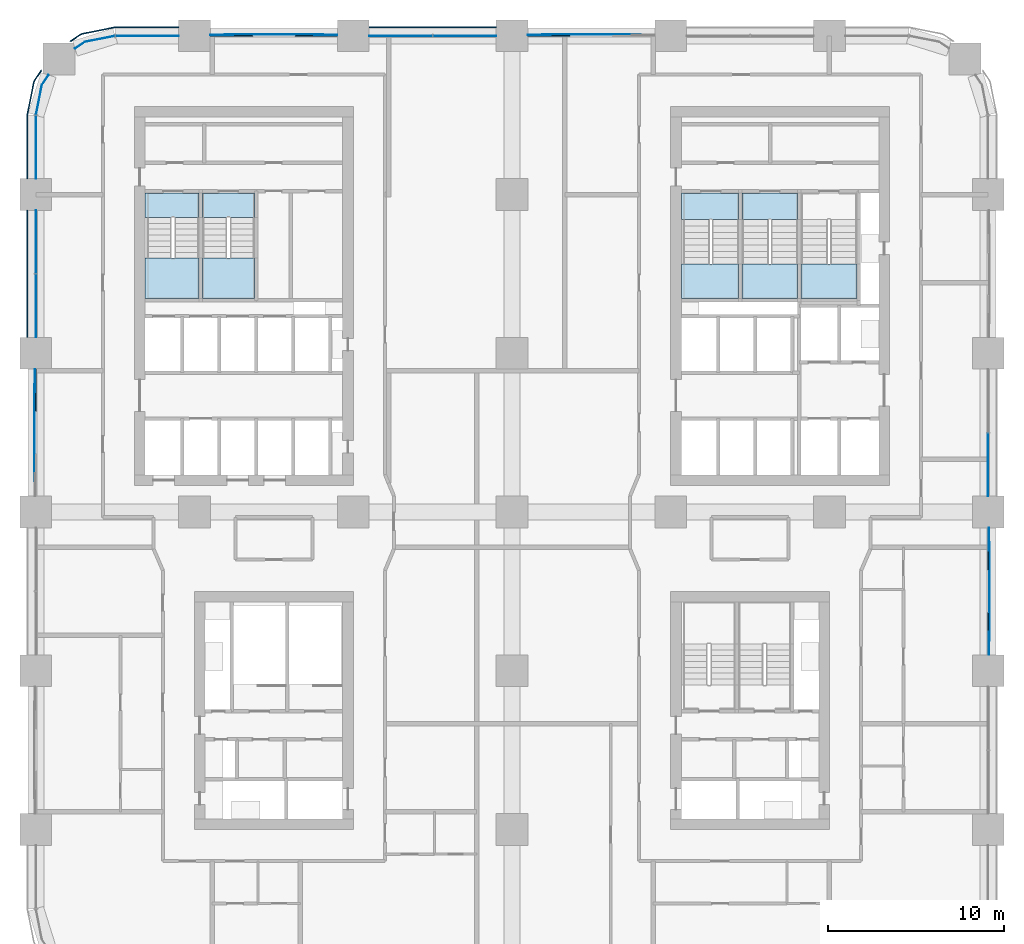
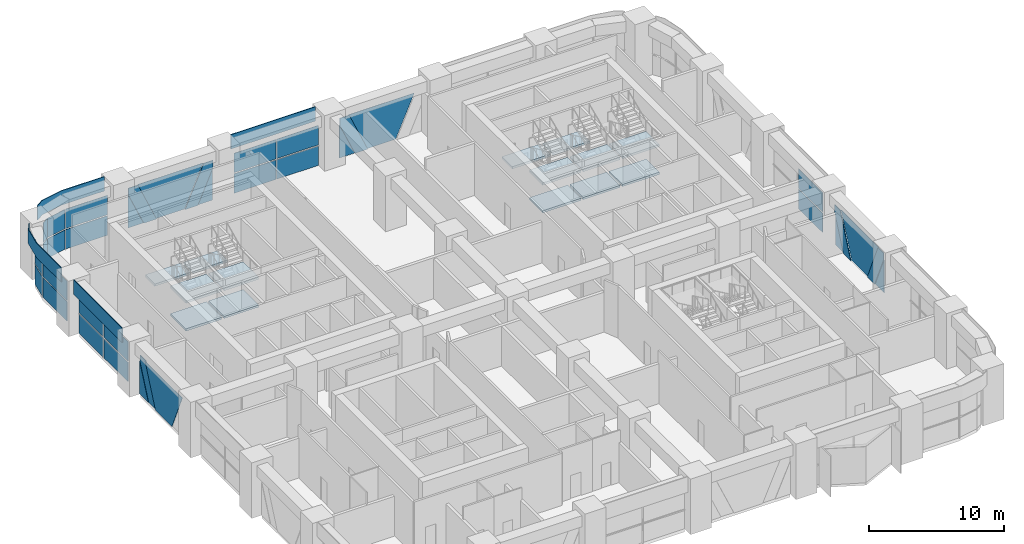
# One storey, part 13 of 26: 38 plates, 14 slabs, 14 elements without a shape of their own.
"""IFC4 building model written with IfcOpenShell, lengths in metres."""

from ifc_helpers import new_model, si_unit, direction, frame, origin, origin_2d, place, context, subcontext, project, spatial, polyline, rectangle, outline, extrude, material, layer, layer_set, type_object, element, aggregate, save


model = new_model("IFC4")

# Units and contexts
model_context = context("Model", 3, precision=1e-05, world=origin(), true_north=direction((0.0, 1.0)))
body_context = subcontext(model_context, "Body", "Model", "MODEL_VIEW")
ifc_project = project(units=[si_unit("LENGTHUNIT", "METRE"), si_unit("AREAUNIT", "SQUARE_METRE"), si_unit("VOLUMEUNIT", "CUBIC_METRE"), si_unit("PLANEANGLEUNIT", "RADIAN"), si_unit("MASSUNIT", "GRAM", prefix="KILO")], contexts=[model_context])

# Site, building, storey
site_placement = place(None, origin())
site = spatial("IfcSite", under=ifc_project, at=site_placement, CompositionType="ELEMENT")
building_placement = place(site_placement, origin())
building = spatial("IfcBuilding", under=site, at=building_placement, Name="Tessera Arch", CompositionType="ELEMENT")
storey_placement = place(building_placement, frame((0.0, 0.0, 72.800048828125)))
storey = spatial("IfcBuildingStorey", under=building, at=storey_placement, Name="L16", CompositionType="ELEMENT", Elevation=72.800048828125)

# Curtain wall, plates
ifc_material_1 = material(Name="CW1 curtain wall")
curtain_wall_type_1 = type_object("IfcCurtainWallType", Name="CW1 curtain wall", PredefinedType="NOTDEFINED", material=ifc_material_1)
curtain_wall_1_placement = place(storey_placement, origin())
curtain_wall_1 = element("IfcCurtainWall", 1, at=curtain_wall_1_placement, inside=storey, type_object=curtain_wall_type_1, Name="CW1 curtain wall E54.0/3 L16", PredefinedType="NOTDEFINED")
ifc_material_2 = material(Name="Clear low-e glass", Category="glass")
ifc_material_3 = material(Name="Clear low-e glass", Category="glass")
ifc_layer_1 = layer(ifc_material_3, 0.028076171875)
ifc_layer_set_1 = layer_set([ifc_layer_1], Name="CW1 glass panel")
plate_type_1 = type_object("IfcPlateType", Name="CW1 glass panel", PredefinedType="CURTAIN_PANEL", material=ifc_layer_set_1)
plate_1_placement = place(storey_placement, frame((54.0, 29.68505859375, 0.0), z_axis=(0.0, 0.0, 1.0), x_axis=(0.0, 1.0, 0.0)))
plate_1 = element("IfcPlate", 2, at=plate_1_placement, type_object=plate_type_1, material=ifc_material_2, Name="CW1 glass panel E54.0/3 1.1.1", PredefinedType="CURTAIN_PANEL", context=body_context, shape_type="SweptSolid", body=[
    extrude(rectangle(XDim=3.570068359375, YDim=0.028076171875, at=origin_2d()), origin(), (0.0, 0.0, 1.0), 1.75),
])
plate_2_placement = place(storey_placement, frame((54.0, 29.68505859375, 1.849853515625), z_axis=(0.0, 0.0, 1.0), x_axis=(0.0, 1.0, 0.0)))
plate_2 = element("IfcPlate", 3, at=plate_2_placement, type_object=plate_type_1, material=ifc_material_2, Name="CW1 glass panel E54.0/3 1.1.2", PredefinedType="CURTAIN_PANEL", context=body_context, shape_type="SweptSolid", body=[
    extrude(rectangle(XDim=3.570068359375, YDim=0.028076171875, at=origin_2d()), origin(), (0.0, 0.0, 1.0), 1.75),
])
aggregate(curtain_wall_1, [plate_1, plate_2])

curtain_wall_2_placement = place(storey_placement, origin())
curtain_wall_2 = element("IfcCurtainWall", 4, at=curtain_wall_2_placement, inside=storey, type_object=curtain_wall_type_1, Name="CW1 curtain wall N54.0/3 L16", PredefinedType="NOTDEFINED")
plate_3_placement = place(storey_placement, frame((24.31494140625, 54.0, 0.0), z_axis=(0.0, 0.0, 1.0), x_axis=(-1.0, 0.0, 0.0)))
plate_3 = element("IfcPlate", 5, at=plate_3_placement, type_object=plate_type_1, material=ifc_material_2, Name="CW1 glass panel N54.0/3 1.1.1", PredefinedType="CURTAIN_PANEL", context=body_context, shape_type="SweptSolid", body=[
    extrude(rectangle(XDim=3.570068359375, YDim=0.028076171875, at=origin_2d()), origin(), (0.0, 0.0, 1.0), 1.75),
])
plate_4_placement = place(storey_placement, frame((24.31494140625, 54.0, 1.849853515625), z_axis=(0.0, 0.0, 1.0), x_axis=(-1.0, 0.0, 0.0)))
plate_4 = element("IfcPlate", 6, at=plate_4_placement, type_object=plate_type_1, material=ifc_material_2, Name="CW1 glass panel N54.0/3 1.1.2", PredefinedType="CURTAIN_PANEL", context=body_context, shape_type="SweptSolid", body=[
    extrude(rectangle(XDim=3.570068359375, YDim=0.028076171875, at=origin_2d()), origin(), (0.0, 0.0, 1.0), 1.75),
])
plate_5_placement = place(storey_placement, frame((20.68505859375, 54.0, 0.0), z_axis=(0.0, 0.0, 1.0), x_axis=(-1.0, 0.0, 0.0)))
plate_5 = element("IfcPlate", 7, at=plate_5_placement, type_object=plate_type_1, material=ifc_material_2, Name="CW1 glass panel N54.0/3 1.2.1", PredefinedType="CURTAIN_PANEL", context=body_context, shape_type="SweptSolid", body=[
    extrude(rectangle(XDim=3.570068359375, YDim=0.028076171875, at=origin_2d()), origin(), (0.0, 0.0, 1.0), 1.75),
])
plate_6_placement = place(storey_placement, frame((20.68505859375, 54.0, 1.849853515625), z_axis=(0.0, 0.0, 1.0), x_axis=(-1.0, 0.0, 0.0)))
plate_6 = element("IfcPlate", 8, at=plate_6_placement, type_object=plate_type_1, material=ifc_material_2, Name="CW1 glass panel N54.0/3 1.2.2", PredefinedType="CURTAIN_PANEL", context=body_context, shape_type="SweptSolid", body=[
    extrude(rectangle(XDim=3.570068359375, YDim=0.028076171875, at=origin_2d()), origin(), (0.0, 0.0, 1.0), 1.75),
])

curtain_wall_3_placement = place(storey_placement, origin())
curtain_wall_3 = element("IfcCurtainWall", 9, at=curtain_wall_3_placement, inside=storey, type_object=curtain_wall_type_1, Name="CW1 curtain wall W0.0/1 L16", PredefinedType="NOTDEFINED")
plate_7_placement = place(storey_placement, frame((0.0, 42.31494140625, 0.0), z_axis=(0.0, 0.0, 1.0), x_axis=(0.0, -1.0, 0.0)))
plate_7 = element("IfcPlate", 10, at=plate_7_placement, type_object=plate_type_1, material=ifc_material_2, Name="CW1 glass panel W0.0/1 1.1.1", PredefinedType="CURTAIN_PANEL", context=body_context, shape_type="SweptSolid", body=[
    extrude(rectangle(XDim=3.570068359375, YDim=0.028076171875, at=origin_2d()), origin(), (0.0, 0.0, 1.0), 1.75),
])
plate_8_placement = place(storey_placement, frame((0.0, 42.31494140625, 1.849853515625), z_axis=(0.0, 0.0, 1.0), x_axis=(0.0, -1.0, 0.0)))
plate_8 = element("IfcPlate", 11, at=plate_8_placement, type_object=plate_type_1, material=ifc_material_2, Name="CW1 glass panel W0.0/1 1.1.2", PredefinedType="CURTAIN_PANEL", context=body_context, shape_type="SweptSolid", body=[
    extrude(rectangle(XDim=3.570068359375, YDim=0.028076171875, at=origin_2d()), origin(), (0.0, 0.0, 1.0), 1.75),
])
plate_9_placement = place(storey_placement, frame((0.0, 38.68505859375, 0.0), z_axis=(0.0, 0.0, 1.0), x_axis=(0.0, -1.0, 0.0)))
plate_9 = element("IfcPlate", 12, at=plate_9_placement, type_object=plate_type_1, material=ifc_material_2, Name="CW1 glass panel W0.0/1 1.2.1", PredefinedType="CURTAIN_PANEL", context=body_context, shape_type="SweptSolid", body=[
    extrude(rectangle(XDim=3.570068359375, YDim=0.028076171875, at=origin_2d()), origin(), (0.0, 0.0, 1.0), 1.75),
])
plate_10_placement = place(storey_placement, frame((0.0, 38.68505859375, 1.849853515625), z_axis=(0.0, 0.0, 1.0), x_axis=(0.0, -1.0, 0.0)))
plate_10 = element("IfcPlate", 13, at=plate_10_placement, type_object=plate_type_1, material=ifc_material_2, Name="CW1 glass panel W0.0/1 1.2.2", PredefinedType="CURTAIN_PANEL", context=body_context, shape_type="SweptSolid", body=[
    extrude(rectangle(XDim=3.570068359375, YDim=0.028076171875, at=origin_2d()), origin(), (0.0, 0.0, 1.0), 1.75),
])

# Plate
ifc_material_4 = material(Name="Pale anodised aluminium panel", Category="aluminium")
ifc_layer_2 = layer(ifc_material_4, 0.06005859375)
ifc_layer_set_2 = layer_set([ifc_layer_2], Name="CW1 spandrel panel")
plate_type_2 = type_object("IfcPlateType", Name="CW1 spandrel panel", PredefinedType="CURTAIN_PANEL", material=ifc_layer_set_2)
plate_11_placement = place(storey_placement, frame((22.5, 54.47998046875, 3.69970703125), z_axis=(0.0, 0.0, 1.0), x_axis=(-1.0, 0.0, 0.0)))
plate_11 = element("IfcPlate", 14, at=plate_11_placement, type_object=plate_type_2, Name="CW1 spandrel panel N54.0/3", PredefinedType="CURTAIN_PANEL", context=body_context, shape_type="SweptSolid", body=[
    extrude(rectangle(XDim=7.199951171875, YDim=0.06005859375, at=origin_2d()), origin(), (0.0, 0.0, 1.0), 1.300048828125),
])

aggregate(curtain_wall_2, [plate_3, plate_4, plate_5, plate_6, plate_11])

plate_12_placement = place(storey_placement, frame((-0.47998046875, 40.5, 3.69970703125), z_axis=(0.0, 0.0, 1.0), x_axis=(0.0, -1.0, 0.0)))
plate_12 = element("IfcPlate", 15, at=plate_12_placement, type_object=plate_type_2, Name="CW1 spandrel panel W0.0/1", PredefinedType="CURTAIN_PANEL", context=body_context, shape_type="SweptSolid", body=[
    extrude(rectangle(XDim=7.199951171875, YDim=0.06005859375, at=origin_2d()), origin(), (0.0, 0.0, 1.0), 1.300048828125),
])

aggregate(curtain_wall_3, [plate_7, plate_8, plate_9, plate_10, plate_12])

# Curtain wall, plates
ifc_material_5 = material(Name="CW2 curtain wall")
curtain_wall_type_2 = type_object("IfcCurtainWallType", Name="CW2 curtain wall", PredefinedType="NOTDEFINED", material=ifc_material_5)
curtain_wall_4_placement = place(storey_placement, origin())
curtain_wall_4 = element("IfcCurtainWall", 16, at=curtain_wall_4_placement, inside=storey, type_object=curtain_wall_type_2, Name="CW2 curtain wall N54.0/5 L16", PredefinedType="NOTDEFINED")
ifc_material_6 = material(Name="Clear low-e glass", Category="glass")
ifc_layer_3 = layer(ifc_material_6, 0.028076171875)
ifc_layer_set_3 = layer_set([ifc_layer_3], Name="CW2 glass panel")
plate_type_3 = type_object("IfcPlateType", Name="CW2 glass panel", PredefinedType="CURTAIN_PANEL", material=ifc_layer_set_3)
plate_13_placement = place(storey_placement, frame((6.320068359375, 54.0, 0.0), z_axis=(0.0, 0.0, 1.0), x_axis=(-1.0, 0.0, 0.0)))
plate_13 = element("IfcPlate", 17, at=plate_13_placement, type_object=plate_type_3, material=ifc_material_2, Name="CW2 glass panel N54.0/5 1.1", PredefinedType="CURTAIN_PANEL", context=body_context, shape_type="SweptSolid", body=[
    extrude(rectangle(XDim=3.56005859375, YDim=0.028076171875, at=origin_2d()), origin(), (0.0, 0.0, 1.0), 1.75),
])
plate_14_placement = place(storey_placement, origin())
plate_14 = element("IfcPlate", 18, at=plate_14_placement, type_object=plate_type_3, material=ifc_material_2, Name="CW2 curved glass panel N54.0/5 2.1", PredefinedType="CURTAIN_PANEL", context=body_context, shape_type="SweptSolid", body=[
    extrude(outline(polyline([(2.783447265625, 53.644287109375), (4.46337890625, 53.978515625), (4.4580078125, 54.005859375), (2.7724609375, 53.670654296875), (2.210205078125, 53.294921875), (2.225830078125, 53.271728515625), (2.783447265625, 53.644287109375)])), origin(), (0.0, 0.0, 1.0), 1.75),
])
plate_15_placement = place(storey_placement, frame((6.320068359375, 54.0, 1.849853515625), z_axis=(0.0, 0.0, 1.0), x_axis=(-1.0, 0.0, 0.0)))
plate_15 = element("IfcPlate", 19, at=plate_15_placement, type_object=plate_type_3, material=ifc_material_2, Name="CW2 glass panel N54.0/5 1.2", PredefinedType="CURTAIN_PANEL", context=body_context, shape_type="SweptSolid", body=[
    extrude(rectangle(XDim=3.56005859375, YDim=0.028076171875, at=origin_2d()), origin(), (0.0, 0.0, 1.0), 1.75),
])
plate_16_placement = place(storey_placement, frame((0.0, 0.0, 1.849853515625)))
plate_16 = element("IfcPlate", 20, at=plate_16_placement, type_object=plate_type_3, material=ifc_material_2, Name="CW2 curved glass panel N54.0/5 2.2", PredefinedType="CURTAIN_PANEL", context=body_context, shape_type="SweptSolid", body=[
    extrude(outline(polyline([(2.783447265625, 53.644287109375), (4.46337890625, 53.978515625), (4.4580078125, 54.005859375), (2.7724609375, 53.670654296875), (2.210205078125, 53.294921875), (2.225830078125, 53.271728515625), (2.783447265625, 53.644287109375)])), origin(), (0.0, 0.0, 1.0), 1.75),
])

curtain_wall_5_placement = place(storey_placement, origin())
curtain_wall_5 = element("IfcCurtainWall", 21, at=curtain_wall_5_placement, inside=storey, type_object=curtain_wall_type_2, Name="CW2 curtain wall W0.0/0 L16", PredefinedType="NOTDEFINED")
plate_17_placement = place(storey_placement, frame((0.0, 47.679931640625, 0.0), z_axis=(0.0, 0.0, 1.0), x_axis=(0.0, -1.0, 0.0)))
plate_17 = element("IfcPlate", 22, at=plate_17_placement, type_object=plate_type_3, material=ifc_material_2, Name="CW2 glass panel W0.0/0 1.1", PredefinedType="CURTAIN_PANEL", context=body_context, shape_type="SweptSolid", body=[
    extrude(rectangle(XDim=3.56005859375, YDim=0.028076171875, at=origin_2d()), origin(), (0.0, 0.0, 1.0), 1.75),
])
plate_18_placement = place(storey_placement, origin())
plate_18 = element("IfcPlate", 23, at=plate_18_placement, type_object=plate_type_3, material=ifc_material_2, Name="CW2 curved glass panel W0.0/0 2.1", PredefinedType="CURTAIN_PANEL", context=body_context, shape_type="SweptSolid", body=[
    extrude(outline(polyline([(0.355712890625, 51.216552734375), (0.728271484375, 51.774169921875), (0.705078125, 51.789794921875), (0.329345703125, 51.2275390625), (-0.005859375, 49.5419921875), (0.021484375, 49.53662109375), (0.355712890625, 51.216552734375)])), origin(), (0.0, 0.0, 1.0), 1.75),
])
plate_19_placement = place(storey_placement, frame((0.0, 47.679931640625, 1.849853515625), z_axis=(0.0, 0.0, 1.0), x_axis=(0.0, -1.0, 0.0)))
plate_19 = element("IfcPlate", 24, at=plate_19_placement, type_object=plate_type_3, material=ifc_material_2, Name="CW2 glass panel W0.0/0 1.2", PredefinedType="CURTAIN_PANEL", context=body_context, shape_type="SweptSolid", body=[
    extrude(rectangle(XDim=3.56005859375, YDim=0.028076171875, at=origin_2d()), origin(), (0.0, 0.0, 1.0), 1.75),
])
plate_20_placement = place(storey_placement, frame((0.0, 0.0, 1.849853515625)))
plate_20 = element("IfcPlate", 25, at=plate_20_placement, type_object=plate_type_3, material=ifc_material_2, Name="CW2 curved glass panel W0.0/0 2.2", PredefinedType="CURTAIN_PANEL", context=body_context, shape_type="SweptSolid", body=[
    extrude(outline(polyline([(0.355712890625, 51.216552734375), (0.728271484375, 51.774169921875), (0.705078125, 51.789794921875), (0.329345703125, 51.2275390625), (-0.005859375, 49.5419921875), (0.021484375, 49.53662109375), (0.355712890625, 51.216552734375)])), origin(), (0.0, 0.0, 1.0), 1.75),
])

# Plate
ifc_material_7 = material(Name="Pale anodised aluminium panel", Category="aluminium")
ifc_layer_4 = layer(ifc_material_7, 0.06005859375)
ifc_layer_set_4 = layer_set([ifc_layer_4], Name="CW2 spandrel panel")
plate_type_4 = type_object("IfcPlateType", Name="CW2 spandrel panel", PredefinedType="CURTAIN_PANEL", material=ifc_layer_set_4)
plate_21_placement = place(storey_placement, frame((0.0, 0.0, 3.699951171875)))
plate_21 = element("IfcPlate", 26, at=plate_21_placement, type_object=plate_type_4, Name="CW2 spandrel panel N54.0/5", PredefinedType="CURTAIN_PANEL", context=body_context, shape_type="SweptSolid", body=[
    extrude(outline(polyline([(4.500732421875, 54.449951171875), (8.10009765625, 54.449951171875), (8.10009765625, 54.510009765625), (4.499267578125, 54.510009765625), (4.449951171875, 54.507568359375), (4.401123046875, 54.500244140625), (2.677734375, 54.157470703125), (2.6298828125, 54.1455078125), (2.582763671875, 54.128662109375), (2.537353515625, 54.107177734375), (2.4951171875, 54.08203125), (1.9345703125, 53.707275390625), (1.968017578125, 53.657470703125), (2.52734375, 54.03125), (2.565673828125, 54.05419921875), (2.605712890625, 54.0732421875), (2.647216796875, 54.088134765625), (2.69091796875, 54.09912109375), (4.411376953125, 54.441162109375), (4.455810546875, 54.44775390625), (4.500732421875, 54.449951171875)])), origin(), (0.0, 0.0, 1.0), 1.300048828125),
])

aggregate(curtain_wall_4, [plate_13, plate_14, plate_15, plate_16, plate_21])

plate_22_placement = place(storey_placement, frame((0.0, 0.0, 3.699951171875)))
plate_22 = element("IfcPlate", 27, at=plate_22_placement, type_object=plate_type_4, Name="CW2 spandrel panel W0.0/0", PredefinedType="CURTAIN_PANEL", context=body_context, shape_type="SweptSolid", body=[
    extrude(outline(polyline([(-0.03125, 51.47265625), (0.342529296875, 52.031982421875), (0.292724609375, 52.0654296875), (-0.08203125, 51.5048828125), (-0.107177734375, 51.462646484375), (-0.128662109375, 51.417236328125), (-0.1455078125, 51.3701171875), (-0.157470703125, 51.322265625), (-0.500244140625, 49.598876953125), (-0.507568359375, 49.550048828125), (-0.510009765625, 49.500732421875), (-0.510009765625, 45.89990234375), (-0.449951171875, 45.89990234375), (-0.449951171875, 49.499267578125), (-0.44775390625, 49.544189453125), (-0.441162109375, 49.588623046875), (-0.09912109375, 51.30908203125), (-0.088134765625, 51.352783203125), (-0.0732421875, 51.394287109375), (-0.05419921875, 51.434326171875), (-0.03125, 51.47265625)])), origin(), (0.0, 0.0, 1.0), 1.300048828125),
])

aggregate(curtain_wall_5, [plate_17, plate_18, plate_19, plate_20, plate_22])

# Curtain wall, plates
ifc_material_8 = material(Name="CW3 curtain wall")
curtain_wall_type_3 = type_object("IfcCurtainWallType", Name="CW3 curtain wall", PredefinedType="NOTDEFINED", material=ifc_material_8)
curtain_wall_6_placement = place(storey_placement, origin())
curtain_wall_6 = element("IfcCurtainWall", 28, at=curtain_wall_6_placement, inside=storey, type_object=curtain_wall_type_3, Name="CW3 curtain wall E54.0/2 L16", PredefinedType="NOTDEFINED")
ifc_material_9 = material(Name="Pale anodised aluminium panel", Category="aluminium")
ifc_layer_5 = layer(ifc_material_9, 0.06005859375)
ifc_layer_set_5 = layer_set([ifc_layer_5], Name="CW3 diagonal panel")
plate_type_5 = type_object("IfcPlateType", Name="CW3 diagonal panel", PredefinedType="CURTAIN_PANEL", material=ifc_layer_set_5)
plate_23_placement = place(storey_placement, frame((54.030029296875, 26.10009765625, 3.599853515625), z_axis=(1.0, 0.0, 0.0), x_axis=(0.0, -1.0, 0.0)))
plate_23 = element("IfcPlate", 29, at=plate_23_placement, type_object=plate_type_5, Name="CW3 diagonal panel E54.0/2 1", PredefinedType="CURTAIN_PANEL", context=body_context, shape_type="SweptSolid", body=[
    extrude(outline(polyline([(0.0, 0.0), (0.806396484375, 0.0), (2.38671875, 3.599853515625), (1.30126953125, 3.599853515625), (0.0, 0.63623046875), (0.0, 0.0)])), origin(), (0.0, 0.0, -1.0), 0.06005859375),
])
plate_24_placement = place(storey_placement, frame((54.030029296875, 18.89990234375, 3.599853515625), z_axis=(1.0, 0.0, 0.0), x_axis=(0.0, 0.0, -1.0)))
plate_24 = element("IfcPlate", 30, at=plate_24_placement, type_object=plate_type_5, Name="CW3 diagonal panel E54.0/2 2", PredefinedType="CURTAIN_PANEL", context=body_context, shape_type="SweptSolid", body=[
    extrude(outline(polyline([(0.0, 0.0), (0.63623046875, 0.0), (3.599853515625, 1.30126953125), (3.599853515625, 2.38671875), (0.0, 0.806396484375), (0.0, 0.0)])), origin(), (0.0, 0.0, -1.0), 0.06005859375),
])

# Curtain wall, plate
curtain_wall_7_placement = place(storey_placement, origin())
curtain_wall_7 = element("IfcCurtainWall", 31, at=curtain_wall_7_placement, inside=storey, type_object=curtain_wall_type_3, Name="CW3 curtain wall N54.0/2 L16", PredefinedType="NOTDEFINED")
plate_25_placement = place(storey_placement, frame((27.89990234375, 54.030029296875, 3.599853515625), z_axis=(0.0, 1.0, 0.0), x_axis=(1.0, 0.0, 0.0)))
plate_25 = element("IfcPlate", 32, at=plate_25_placement, type_object=plate_type_5, Name="CW3 diagonal panel N54.0/2 1", PredefinedType="CURTAIN_PANEL", context=body_context, shape_type="SweptSolid", body=[
    extrude(outline(polyline([(0.0, 0.0), (0.806396484375, 0.0), (2.38671875, 3.599853515625), (1.30126953125, 3.599853515625), (0.0, 0.63623046875), (0.0, 0.0)])), origin(), (0.0, 0.0, -1.0), 0.06005859375),
])

# Curtain wall, plates
curtain_wall_8_placement = place(storey_placement, origin())
curtain_wall_8 = element("IfcCurtainWall", 33, at=curtain_wall_8_placement, inside=storey, type_object=curtain_wall_type_3, Name="CW3 curtain wall N54.0/4 L16", PredefinedType="NOTDEFINED")
plate_26_placement = place(storey_placement, frame((9.89990234375, 54.030029296875, 3.599853515625), z_axis=(0.0, 1.0, 0.0), x_axis=(1.0, 0.0, 0.0)))
plate_26 = element("IfcPlate", 34, at=plate_26_placement, type_object=plate_type_5, Name="CW3 diagonal panel N54.0/4 1", PredefinedType="CURTAIN_PANEL", context=body_context, shape_type="SweptSolid", body=[
    extrude(outline(polyline([(0.0, 0.0), (0.806396484375, 0.0), (2.38671875, 3.599853515625), (1.30126953125, 3.599853515625), (0.0, 0.63623046875), (0.0, 0.0)])), origin(), (0.0, 0.0, -1.0), 0.06005859375),
])
plate_27_placement = place(storey_placement, frame((17.10009765625, 54.030029296875, 3.599853515625), z_axis=(0.0, 1.0, 0.0), x_axis=(0.0, 0.0, -1.0)))
plate_27 = element("IfcPlate", 35, at=plate_27_placement, type_object=plate_type_5, Name="CW3 diagonal panel N54.0/4 2", PredefinedType="CURTAIN_PANEL", context=body_context, shape_type="SweptSolid", body=[
    extrude(outline(polyline([(0.0, 0.0), (0.63623046875, 0.0), (3.599853515625, 1.30126953125), (3.599853515625, 2.38671875), (0.0, 0.806396484375), (0.0, 0.0)])), origin(), (0.0, 0.0, -1.0), 0.06005859375),
])

# Curtain wall, plate
curtain_wall_9_placement = place(storey_placement, origin())
curtain_wall_9 = element("IfcCurtainWall", 36, at=curtain_wall_9_placement, inside=storey, type_object=curtain_wall_type_3, Name="CW3 curtain wall W0.0/2 L16", PredefinedType="NOTDEFINED")
plate_28_placement = place(storey_placement, frame((-0.030029296875, 35.10009765625, 3.489990234375), z_axis=(-1.0, 0.0, 0.0), x_axis=(0.0, 0.0, -1.0)))
plate_28 = element("IfcPlate", 37, at=plate_28_placement, type_object=plate_type_5, Name="CW3 diagonal panel W0.0/2 2", PredefinedType="CURTAIN_PANEL", context=body_context, shape_type="SweptSolid", body=[
    extrude(outline(polyline([(0.0, 0.0), (0.5263671875, 0.0), (3.489990234375, 1.30126953125), (3.489990234375, 2.38671875), (0.0, 0.8544921875), (0.0, 0.0)])), origin(), (0.0, 0.0, -1.0), 0.06005859375),
])

# Plate
ifc_material_10 = material(Name="Clear low-e glass", Category="glass")
ifc_layer_6 = layer(ifc_material_10, 0.028076171875)
ifc_layer_set_6 = layer_set([ifc_layer_6], Name="CW3 glass panel")
plate_type_6 = type_object("IfcPlateType", Name="CW3 glass panel", PredefinedType="CURTAIN_PANEL", material=ifc_layer_set_6)
plate_29_placement = place(storey_placement, frame((54.05810546875, 18.89990234375, 0.0), z_axis=(1.0, 0.0, 0.0), x_axis=(0.0, 1.0, 0.0)))
plate_29 = element("IfcPlate", 38, at=plate_29_placement, type_object=plate_type_6, material=ifc_material_2, Name="CW3 triangulated glass panel E54.0/2 1", PredefinedType="CURTAIN_PANEL", context=body_context, shape_type="SweptSolid", body=[
    extrude(outline(polyline([(0.0, 0.0), (1.30126953125, 0.0), (0.0, 2.963623046875), (0.0, 0.0)])), origin(), (0.0, 0.0, -1.0), 0.028076171875),
])

plate_30_placement = place(storey_placement, frame((54.0859375, 25.293701171875, 3.599853515625), z_axis=(1.0, 0.0, 0.0), x_axis=(0.0, -1.0, 0.0)))
plate_30 = element("IfcPlate", 39, at=plate_30_placement, type_object=plate_type_6, material=ifc_material_2, Name="CW3 triangulated glass panel E54.0/2 2", PredefinedType="CURTAIN_PANEL", context=body_context, shape_type="SweptSolid", body=[
    extrude(outline(polyline([(0.0, 0.0), (5.58740234375, 0.0), (4.007080078125, 3.599853515625), (1.580322265625, 3.599853515625), (0.0, 0.0)])), origin(), (0.0, 0.0, -1.0), 0.028076171875),
])

plate_31_placement = place(storey_placement, frame((54.05810546875, 26.10009765625, 0.0), z_axis=(1.0, 0.0, 0.0), x_axis=(0.0, 0.0, 1.0)))
plate_31 = element("IfcPlate", 40, at=plate_31_placement, type_object=plate_type_6, material=ifc_material_2, Name="CW3 triangulated glass panel E54.0/2 3", PredefinedType="CURTAIN_PANEL", context=body_context, shape_type="SweptSolid", body=[
    extrude(outline(polyline([(0.0, 0.0), (2.963623046875, 0.0), (0.0, 1.30126953125), (0.0, 0.0)])), origin(), (0.0, 0.0, -1.0), 0.028076171875),
])

aggregate(curtain_wall_6, [plate_29, plate_30, plate_31, plate_23, plate_24])

plate_32_placement = place(storey_placement, frame((28.706298828125, 54.0859375, 3.599853515625), z_axis=(0.0, 1.0, 0.0), x_axis=(1.0, 0.0, 0.0)))
plate_32 = element("IfcPlate", 41, at=plate_32_placement, type_object=plate_type_6, material=ifc_material_2, Name="CW3 triangulated glass panel N54.0/2 2", PredefinedType="CURTAIN_PANEL", context=body_context, shape_type="SweptSolid", body=[
    extrude(outline(polyline([(0.0, 0.0), (5.58740234375, 0.0), (4.007080078125, 3.599853515625), (1.580322265625, 3.599853515625), (0.0, 0.0)])), origin(), (0.0, 0.0, -1.0), 0.028076171875),
])

plate_33_placement = place(storey_placement, frame((27.89990234375, 54.05810546875, 0.0), z_axis=(0.0, 1.0, 0.0), x_axis=(0.0, 0.0, 1.0)))
plate_33 = element("IfcPlate", 42, at=plate_33_placement, type_object=plate_type_6, material=ifc_material_2, Name="CW3 triangulated glass panel N54.0/2 3", PredefinedType="CURTAIN_PANEL", context=body_context, shape_type="SweptSolid", body=[
    extrude(outline(polyline([(0.0, 0.0), (2.963623046875, 0.0), (0.0, 1.30126953125), (0.0, 0.0)])), origin(), (0.0, 0.0, -1.0), 0.028076171875),
])

aggregate(curtain_wall_7, [plate_32, plate_33, plate_25])

plate_34_placement = place(storey_placement, frame((17.10009765625, 54.05810546875, 0.0), z_axis=(0.0, 1.0, 0.0), x_axis=(-1.0, 0.0, 0.0)))
plate_34 = element("IfcPlate", 43, at=plate_34_placement, type_object=plate_type_6, material=ifc_material_2, Name="CW3 triangulated glass panel N54.0/4 1", PredefinedType="CURTAIN_PANEL", context=body_context, shape_type="SweptSolid", body=[
    extrude(outline(polyline([(0.0, 0.0), (1.30126953125, 0.0), (0.0, 2.963623046875), (0.0, 0.0)])), origin(), (0.0, 0.0, -1.0), 0.028076171875),
])

plate_35_placement = place(storey_placement, frame((10.706298828125, 54.0859375, 3.599853515625), z_axis=(0.0, 1.0, 0.0), x_axis=(1.0, 0.0, 0.0)))
plate_35 = element("IfcPlate", 44, at=plate_35_placement, type_object=plate_type_6, material=ifc_material_2, Name="CW3 triangulated glass panel N54.0/4 2", PredefinedType="CURTAIN_PANEL", context=body_context, shape_type="SweptSolid", body=[
    extrude(outline(polyline([(0.0, 0.0), (5.58740234375, 0.0), (4.007080078125, 3.599853515625), (1.580322265625, 3.599853515625), (0.0, 0.0)])), origin(), (0.0, 0.0, -1.0), 0.028076171875),
])

plate_36_placement = place(storey_placement, frame((9.89990234375, 54.05810546875, 0.0), z_axis=(0.0, 1.0, 0.0), x_axis=(0.0, 0.0, 1.0)))
plate_36 = element("IfcPlate", 45, at=plate_36_placement, type_object=plate_type_6, material=ifc_material_2, Name="CW3 triangulated glass panel N54.0/4 3", PredefinedType="CURTAIN_PANEL", context=body_context, shape_type="SweptSolid", body=[
    extrude(outline(polyline([(0.0, 0.0), (2.963623046875, 0.0), (0.0, 1.30126953125), (0.0, 0.0)])), origin(), (0.0, 0.0, -1.0), 0.028076171875),
])

aggregate(curtain_wall_8, [plate_34, plate_35, plate_36, plate_26, plate_27])

plate_37_placement = place(storey_placement, frame((-0.05810546875, 35.10009765625, 0.0), z_axis=(-1.0, 0.0, 0.0), x_axis=(0.0, -1.0, 0.0)))
plate_37 = element("IfcPlate", 46, at=plate_37_placement, type_object=plate_type_6, material=ifc_material_2, Name="CW3 triangulated glass panel W0.0/2 1", PredefinedType="CURTAIN_PANEL", context=body_context, shape_type="SweptSolid", body=[
    extrude(outline(polyline([(0.0, 0.0), (1.30126953125, 0.0), (0.0, 2.963623046875), (0.0, 0.0)])), origin(), (0.0, 0.0, -1.0), 0.028076171875),
])

plate_38_placement = place(storey_placement, frame((-0.0859375, 28.75439453125, 3.489990234375), z_axis=(-1.0, 0.0, 0.0), x_axis=(0.0, 1.0, 0.0)))
plate_38 = element("IfcPlate", 47, at=plate_38_placement, type_object=plate_type_6, material=ifc_material_2, Name="CW3 triangulated glass panel W0.0/2 2", PredefinedType="CURTAIN_PANEL", context=body_context, shape_type="SweptSolid", body=[
    extrude(outline(polyline([(0.0, 0.0), (5.4912109375, 0.0), (3.958984375, 3.489990234375), (1.5322265625, 3.489990234375), (0.0, 0.0)])), origin(), (0.0, 0.0, -1.0), 0.028076171875),
])

aggregate(curtain_wall_9, [plate_37, plate_38, plate_28])

# Stair, slabs
ifc_material_11 = material(Name="Concrete C40/50", Category="concrete")
stair_type_1 = type_object("IfcStairType", Name="Dogleg stair 1520", PredefinedType="HALF_TURN_STAIR", material=ifc_material_11)
stair_1_placement = place(storey_placement, origin())
stair_1 = element("IfcStair", 48, at=stair_1_placement, inside=storey, type_object=stair_type_1, Name="L16 S1a", PredefinedType="HALF_TURN_STAIR")
ifc_material_12 = material(Name="Concrete C40/50", Category="concrete")
ifc_layer_7 = layer(ifc_material_12, 0.300048828125)
ifc_layer_set_7 = layer_set([ifc_layer_7], Name="Stair landing 300")
slab_type = type_object("IfcSlabType", Name="Stair landing 300", PredefinedType="LANDING", material=ifc_layer_set_7)
slab_1_placement = place(storey_placement, frame((0.0, 0.0, 1.050048828125)))
slab_1 = element("IfcSlab", 49, at=slab_1_placement, type_object=slab_type, Name="S1a landing 1", PredefinedType="LANDING", context=body_context, shape_type="SweptSolid", body=[
    extrude(outline(polyline([(36.60009765625, 41.06005859375), (36.60009765625, 39.10009765625), (39.85009765625, 39.10009765625), (39.85009765625, 41.06005859375), (36.60009765625, 41.06005859375)])), origin(), (0.0, 0.0, 1.0), 0.199951171875),
])
slab_2_placement = place(storey_placement, frame((0.0, 0.0, 2.300048828125)))
slab_2 = element("IfcSlab", 50, at=slab_2_placement, type_object=slab_type, Name="S1a landing 2", PredefinedType="LANDING", context=body_context, shape_type="SweptSolid", body=[
    extrude(outline(polyline([(36.60009765625, 45.10009765625), (36.60009765625, 43.580078125), (39.85009765625, 43.580078125), (39.85009765625, 45.10009765625), (36.60009765625, 45.10009765625)])), origin(), (0.0, 0.0, 1.0), 0.199951171875),
])
slab_3_placement = place(storey_placement, frame((0.0, 0.0, 3.550048828125)))
slab_3 = element("IfcSlab", 51, at=slab_3_placement, type_object=slab_type, Name="S1a landing 3", PredefinedType="LANDING", context=body_context, shape_type="SweptSolid", body=[
    extrude(outline(polyline([(36.60009765625, 41.06005859375), (36.60009765625, 39.10009765625), (39.85009765625, 39.10009765625), (39.85009765625, 41.06005859375), (36.60009765625, 41.06005859375)])), origin(), (0.0, 0.0, 1.0), 0.199951171875),
])
aggregate(stair_1, [slab_1, slab_2, slab_3])

stair_2_placement = place(storey_placement, origin())
stair_2 = element("IfcStair", 52, at=stair_2_placement, inside=storey, type_object=stair_type_1, Name="L16 S1b", PredefinedType="HALF_TURN_STAIR")
slab_4_placement = place(storey_placement, frame((0.0, 0.0, 1.050048828125)))
slab_4 = element("IfcSlab", 53, at=slab_4_placement, type_object=slab_type, Name="S1b landing 1", PredefinedType="LANDING", context=body_context, shape_type="SweptSolid", body=[
    extrude(outline(polyline([(40.050048828125, 41.06005859375), (40.050048828125, 39.10009765625), (43.199951171875, 39.10009765625), (43.199951171875, 41.06005859375), (40.050048828125, 41.06005859375)])), origin(), (0.0, 0.0, 1.0), 0.199951171875),
])
slab_5_placement = place(storey_placement, frame((0.0, 0.0, 2.300048828125)))
slab_5 = element("IfcSlab", 54, at=slab_5_placement, type_object=slab_type, Name="S1b landing 2", PredefinedType="LANDING", context=body_context, shape_type="SweptSolid", body=[
    extrude(outline(polyline([(40.050048828125, 45.10009765625), (40.050048828125, 43.580078125), (43.199951171875, 43.580078125), (43.199951171875, 45.10009765625), (40.050048828125, 45.10009765625)])), origin(), (0.0, 0.0, 1.0), 0.199951171875),
])
slab_6_placement = place(storey_placement, frame((0.0, 0.0, 3.550048828125)))
slab_6 = element("IfcSlab", 55, at=slab_6_placement, type_object=slab_type, Name="S1b landing 3", PredefinedType="LANDING", context=body_context, shape_type="SweptSolid", body=[
    extrude(outline(polyline([(40.050048828125, 41.06005859375), (40.050048828125, 39.10009765625), (43.199951171875, 39.10009765625), (43.199951171875, 41.06005859375), (40.050048828125, 41.06005859375)])), origin(), (0.0, 0.0, 1.0), 0.199951171875),
])
aggregate(stair_2, [slab_4, slab_5, slab_6])

stair_3_placement = place(storey_placement, origin())
stair_3 = element("IfcStair", 56, at=stair_3_placement, inside=storey, type_object=stair_type_1, Name="L16 S1c", PredefinedType="HALF_TURN_STAIR")
slab_7_placement = place(storey_placement, frame((0.0, 0.0, 1.050048828125)))
slab_7 = element("IfcSlab", 57, at=slab_7_placement, type_object=slab_type, Name="S1c landing 1", PredefinedType="LANDING", context=body_context, shape_type="SweptSolid", body=[
    extrude(outline(polyline([(43.39990234375, 41.06005859375), (43.39990234375, 39.10009765625), (46.550048828125, 39.10009765625), (46.550048828125, 41.06005859375), (43.39990234375, 41.06005859375)])), origin(), (0.0, 0.0, 1.0), 0.199951171875),
])
slab_8_placement = place(storey_placement, frame((0.0, 0.0, 3.550048828125)))
slab_8 = element("IfcSlab", 58, at=slab_8_placement, type_object=slab_type, Name="S1c landing 3", PredefinedType="LANDING", context=body_context, shape_type="SweptSolid", body=[
    extrude(outline(polyline([(43.39990234375, 41.06005859375), (43.39990234375, 39.10009765625), (46.550048828125, 39.10009765625), (46.550048828125, 41.06005859375), (43.39990234375, 41.06005859375)])), origin(), (0.0, 0.0, 1.0), 0.199951171875),
])
aggregate(stair_3, [slab_7, slab_8])

ifc_material_13 = material(Name="Concrete C40/50", Category="concrete")
stair_type_2 = type_object("IfcStairType", Name="Dogleg stair 1400", PredefinedType="HALF_TURN_STAIR", material=ifc_material_13)
stair_4_placement = place(storey_placement, origin())
stair_4 = element("IfcStair", 59, at=stair_4_placement, inside=storey, type_object=stair_type_2, Name="L16 S2a", PredefinedType="HALF_TURN_STAIR")
slab_9_placement = place(storey_placement, frame((0.0, 0.0, 1.050048828125)))
slab_9 = element("IfcSlab", 60, at=slab_9_placement, type_object=slab_type, Name="S2a landing 1", PredefinedType="LANDING", context=body_context, shape_type="SweptSolid", body=[
    extrude(outline(polyline([(6.199951171875, 41.389892578125), (6.199951171875, 39.10009765625), (9.25, 39.10009765625), (9.25, 41.389892578125), (6.199951171875, 41.389892578125)])), origin(), (0.0, 0.0, 1.0), 0.199951171875),
])
slab_10_placement = place(storey_placement, frame((0.0, 0.0, 2.300048828125)))
slab_10 = element("IfcSlab", 61, at=slab_10_placement, type_object=slab_type, Name="S2a landing 2", PredefinedType="LANDING", context=body_context, shape_type="SweptSolid", body=[
    extrude(outline(polyline([(6.199951171875, 45.10009765625), (6.199951171875, 43.699951171875), (9.25, 43.699951171875), (9.25, 45.10009765625), (6.199951171875, 45.10009765625)])), origin(), (0.0, 0.0, 1.0), 0.199951171875),
])
slab_11_placement = place(storey_placement, frame((0.0, 0.0, 3.550048828125)))
slab_11 = element("IfcSlab", 62, at=slab_11_placement, type_object=slab_type, Name="S2a landing 3", PredefinedType="LANDING", context=body_context, shape_type="SweptSolid", body=[
    extrude(outline(polyline([(6.199951171875, 41.389892578125), (6.199951171875, 39.10009765625), (9.25, 39.10009765625), (9.25, 41.389892578125), (6.199951171875, 41.389892578125)])), origin(), (0.0, 0.0, 1.0), 0.199951171875),
])
aggregate(stair_4, [slab_9, slab_10, slab_11])

stair_5_placement = place(storey_placement, origin())
stair_5 = element("IfcStair", 63, at=stair_5_placement, inside=storey, type_object=stair_type_2, Name="L16 S2b", PredefinedType="HALF_TURN_STAIR")
slab_12_placement = place(storey_placement, frame((0.0, 0.0, 1.050048828125)))
slab_12 = element("IfcSlab", 64, at=slab_12_placement, type_object=slab_type, Name="S2b landing 1", PredefinedType="LANDING", context=body_context, shape_type="SweptSolid", body=[
    extrude(outline(polyline([(9.449951171875, 41.389892578125), (9.449951171875, 39.10009765625), (12.39990234375, 39.10009765625), (12.39990234375, 41.389892578125), (9.449951171875, 41.389892578125)])), origin(), (0.0, 0.0, 1.0), 0.199951171875),
])
slab_13_placement = place(storey_placement, frame((0.0, 0.0, 2.300048828125)))
slab_13 = element("IfcSlab", 65, at=slab_13_placement, type_object=slab_type, Name="S2b landing 2", PredefinedType="LANDING", context=body_context, shape_type="SweptSolid", body=[
    extrude(outline(polyline([(9.449951171875, 45.10009765625), (9.449951171875, 43.699951171875), (12.39990234375, 43.699951171875), (12.39990234375, 45.10009765625), (9.449951171875, 45.10009765625)])), origin(), (0.0, 0.0, 1.0), 0.199951171875),
])
slab_14_placement = place(storey_placement, frame((0.0, 0.0, 3.550048828125)))
slab_14 = element("IfcSlab", 66, at=slab_14_placement, type_object=slab_type, Name="S2b landing 3", PredefinedType="LANDING", context=body_context, shape_type="SweptSolid", body=[
    extrude(outline(polyline([(9.449951171875, 41.389892578125), (9.449951171875, 39.10009765625), (12.39990234375, 39.10009765625), (12.39990234375, 41.389892578125), (9.449951171875, 41.389892578125)])), origin(), (0.0, 0.0, 1.0), 0.199951171875),
])
aggregate(stair_5, [slab_12, slab_13, slab_14])

save(model, "model.ifc")
